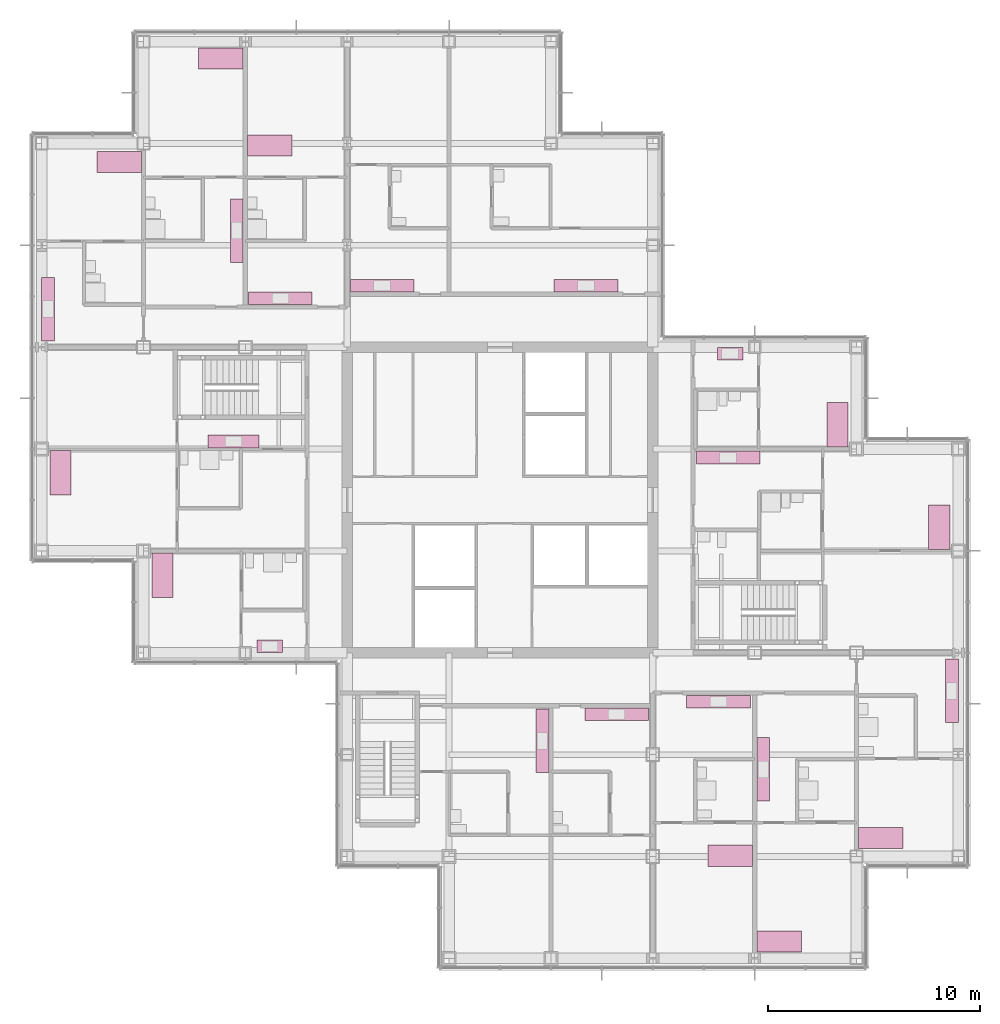
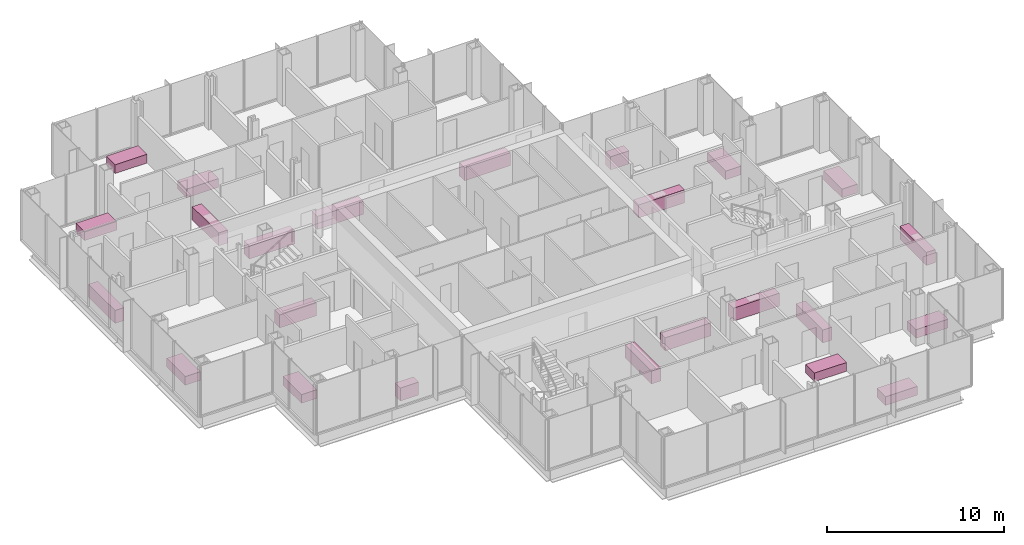
# One storey, part 20 of 20: 24 furniture elements.
"""IFC4 building model written with IfcOpenShell, lengths in metres."""

from ifc_helpers import new_model, si_unit, direction, frame, origin, origin_2d, place, context, subcontext, project, spatial, rectangle, extrude, material, type_object, element, save


model = new_model("IFC4")

# Units and contexts
model_context = context("Model", 3, precision=1e-05, world=origin(), true_north=direction((0.0, 1.0)))
body_context = subcontext(model_context, "Body", "Model", "MODEL_VIEW")
ifc_project = project(units=[si_unit("LENGTHUNIT", "METRE"), si_unit("AREAUNIT", "SQUARE_METRE"), si_unit("VOLUMEUNIT", "CUBIC_METRE"), si_unit("PLANEANGLEUNIT", "RADIAN"), si_unit("MASSUNIT", "GRAM", prefix="KILO")], contexts=[model_context])

# Site, building, storey
site_placement = place(None, origin())
site = spatial("IfcSite", under=ifc_project, at=site_placement, CompositionType="ELEMENT")
building_placement = place(site_placement, origin())
building = spatial("IfcBuilding", under=site, at=building_placement, Name="Kvirike Care Tower", CompositionType="ELEMENT")
storey_placement = place(building_placement, frame((0.0, 0.0, 105.0)))
storey = spatial("IfcBuildingStorey", under=building, at=storey_placement, Name="L28", CompositionType="ELEMENT", Elevation=105.0)

# Furniture
ifc_material_1 = material(Name="Steel frame", Category="steel")
furniture_type_1 = type_object("IfcFurnitureType", Name="CARE BED 1000 x 2100", AssemblyPlace="FACTORY", PredefinedType="BED", material=ifc_material_1)
for number, where, z_axis, x_axis, name in (
    (1, (0.89501953125, 37.2880859375, 0.0), (0.0, 0.0, 1.0), (1.0, 0.0, 0.0), "Care bed L28-004"),
    (2, (5.695068359375, 32.447998046875, 0.0), (0.0, 0.0, 1.0), (1.0, 0.0, 0.0), "Care bed L28-008"),
    (3, (10.751953125, 52.7099609375, 0.0), (0.0, 0.0, 1.0), (0.0, 1.0, 0.0), "Care bed L28-012"),
    (4, (8.447998046875, 56.802978515625, 0.0), (0.0, 0.0, 1.0), (0.0, -1.0, 0.0), "Care bed L28-015"),
    (5, (3.64794921875, 51.929931640625, 0.0), (0.0, 0.0, 1.0), (0.0, -1.0, 0.0), "Care bed L28-018"),
    (6, (32.447998046875, 19.239990234375, 0.0), (0.0, 0.0, 1.0), (0.0, -1.0, 0.0), "Care bed L28-037"),
    (7, (34.751953125, 15.197021484375, 0.0), (0.0, 0.0, 1.0), (0.0, 1.0, 0.0), "Care bed L28-040"),
    (8, (39.552001953125, 20.070068359375, 0.0), (0.0, 0.0, 1.0), (0.0, 1.0, 0.0), "Care bed L28-043"),
    (9, (42.304931640625, 34.7119140625, 0.0), (0.0, 0.0, 1.0), (-1.0, 0.0, 0.0), "Care bed L28-049"),
    (10, (37.5048828125, 39.552001953125, 0.0), (0.0, 0.0, 1.0), (-1.0, 0.0, 0.0), "Care bed L28-053"),
):
    element("IfcFurniture", number, at=place(storey_placement, frame(where, z_axis=z_axis, x_axis=x_axis)), inside=storey, type_object=furniture_type_1, Name=name, PredefinedType="BED", context=body_context, shape_type="SweptSolid", body=[
        extrude(rectangle(XDim=1.0, YDim=2.10009765625, at=origin_2d()), origin(), (0.0, 0.0, 1.0), 0.60009765625),
    ])
ifc_material_2 = material(Name="Laminated board", Category="wood")
furniture_type_2 = type_object("IfcFurnitureType", Name="KITCHEN UNIT RUN 600", AssemblyPlace="FACTORY", PredefinedType="USERDEFINED", material=ifc_material_2)
furniture_1_placement = place(storey_placement, frame((9.050048828125, 38.761962890625, 0.0), z_axis=(0.0, 0.0, 1.0), x_axis=(-1.0, 0.0, 0.0)))
element("IfcFurniture", 11, at=furniture_1_placement, inside=storey, type_object=furniture_type_2, Name="Kitchen unit run L28-006", ObjectType="KITCHEN UNIT", PredefinedType="USERDEFINED", context=body_context, shape_type="SweptSolid", body=[
    extrude(rectangle(XDim=2.39990234375, YDim=0.60009765625, at=origin_2d()), origin(), (0.0, 0.0, 1.0), 0.89990234375),
])
furniture_2_placement = place(storey_placement, frame((10.75, 29.10205078125, 0.0), z_axis=(0.0, 0.0, 1.0), x_axis=(-1.0, 0.0, 0.0)))
element("IfcFurniture", 12, at=furniture_2_placement, inside=storey, type_object=furniture_type_2, Name="Kitchen unit run L28-010", ObjectType="KITCHEN UNIT", PredefinedType="USERDEFINED", context=body_context, shape_type="SweptSolid", body=[
    extrude(rectangle(XDim=1.199951171875, YDim=0.60009765625, at=origin_2d()), origin(), (0.0, 0.0, 1.0), 0.89990234375),
])
for number, where, z_axis, x_axis, name in (
    (13, (11.25, 45.501953125, 0.0), (0.0, 0.0, 1.0), (-1.0, 0.0, 0.0), "Kitchen unit run L28-014"),
    (14, (9.197998046875, 48.68994140625, 0.0), (0.0, 0.0, 1.0), (0.0, -1.0, 0.0), "Kitchen unit run L28-017"),
    (15, (0.302001953125, 44.9970703125, 0.0), (0.0, 0.0, 1.0), (0.0, 1.0, 0.0), "Kitchen unit run L28-020"),
    (16, (23.597900390625, 24.64990234375, 0.0), (0.0, 0.0, 1.0), (0.0, -1.0, 0.0), "Kitchen unit run L28-025"),
    (17, (27.10009765625, 25.89794921875, 0.0), (0.0, 0.0, 1.0), (1.0, 0.0, 0.0), "Kitchen unit run L28-028"),
    (18, (25.64990234375, 46.10205078125, 0.0), (0.0, 0.0, 1.0), (-1.0, 0.0, 0.0), "Kitchen unit run L28-032"),
    (19, (16.050048828125, 46.10205078125, 0.0), (0.0, 0.0, 1.0), (-1.0, 0.0, 0.0), "Kitchen unit run L28-035"),
    (20, (31.89990234375, 26.498046875, 0.0), (0.0, 0.0, 1.0), (1.0, 0.0, 0.0), "Kitchen unit run L28-039"),
    (21, (34.001953125, 23.31005859375, 0.0), (0.0, 0.0, 1.0), (0.0, 1.0, 0.0), "Kitchen unit run L28-042"),
    (22, (42.89794921875, 27.0029296875, 0.0), (0.0, 0.0, 1.0), (0.0, -1.0, 0.0), "Kitchen unit run L28-045"),
    (23, (32.35009765625, 37.998046875, 0.0), (0.0, 0.0, 1.0), (1.0, 0.0, 0.0), "Kitchen unit run L28-052"),
):
    element("IfcFurniture", number, at=place(storey_placement, frame(where, z_axis=z_axis, x_axis=x_axis)), inside=storey, type_object=furniture_type_2, Name=name, ObjectType="KITCHEN UNIT", PredefinedType="USERDEFINED", context=body_context, shape_type="SweptSolid", body=[
        extrude(rectangle(XDim=3.0, YDim=0.60009765625, at=origin_2d()), origin(), (0.0, 0.0, 1.0), 0.89990234375),
    ])
furniture_3_placement = place(storey_placement, frame((32.449951171875, 42.89794921875, 0.0), z_axis=(0.0, 0.0, 1.0), x_axis=(1.0, 0.0, 0.0)))
element("IfcFurniture", 24, at=furniture_3_placement, inside=storey, type_object=furniture_type_2, Name="Kitchen unit run L28-055", ObjectType="KITCHEN UNIT", PredefinedType="USERDEFINED", context=body_context, shape_type="SweptSolid", body=[
    extrude(rectangle(XDim=1.199951171875, YDim=0.60009765625, at=origin_2d()), origin(), (0.0, 0.0, 1.0), 0.89990234375),
])

save(model, "model.ifc")
